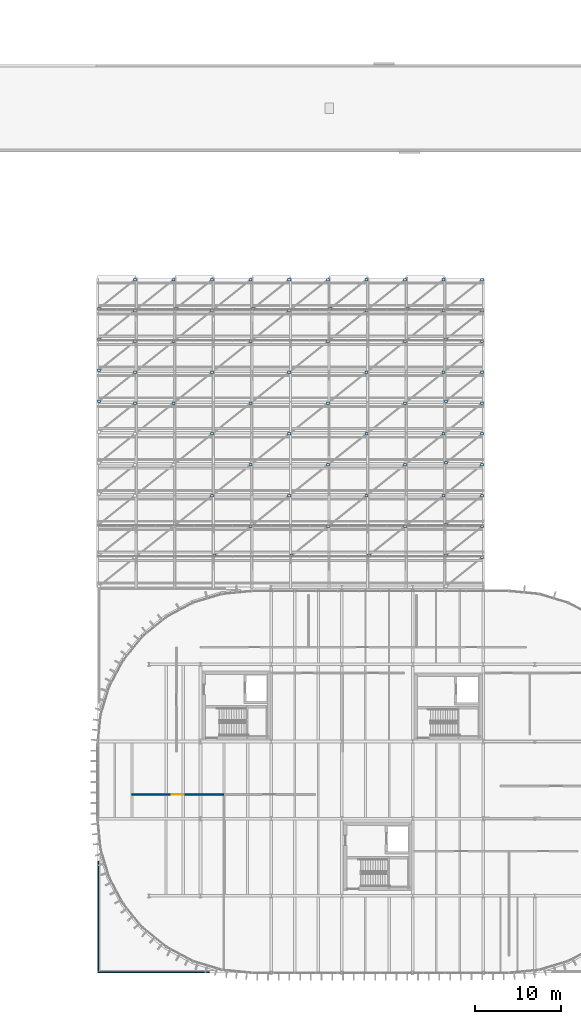
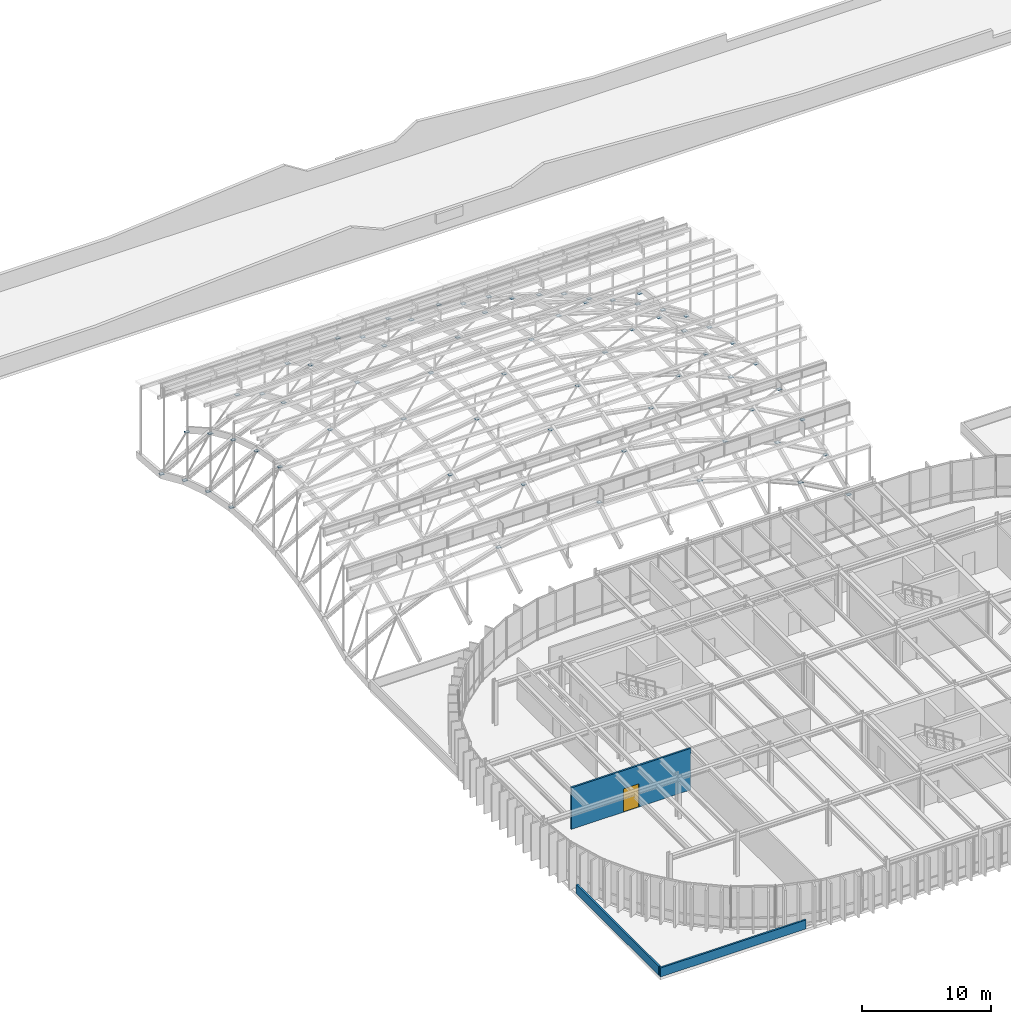
# One storey, part 51 of 69: 69 plates, 3 walls, 1 door, 1 opening.
"""IFC4 building model written with IfcOpenShell, lengths in metres."""

from ifc_helpers import new_model, si_unit, direction, frame, frame_2d, origin, origin_2d, place, context, subcontext, project, spatial, rectangle, extrude, material, layer, layer_set, type_object, element, fill, save


model = new_model("IFC4")

# Units and contexts
model_context = context("Model", 3, precision=1e-05, world=origin(), true_north=direction((0.0, 1.0)))
body_context = subcontext(model_context, "Body", "Model", "MODEL_VIEW")
ifc_project = project(units=[si_unit("LENGTHUNIT", "METRE"), si_unit("AREAUNIT", "SQUARE_METRE"), si_unit("VOLUMEUNIT", "CUBIC_METRE"), si_unit("PLANEANGLEUNIT", "RADIAN"), si_unit("MASSUNIT", "GRAM", prefix="KILO")], contexts=[model_context])

# Site, building, storey
site_placement = place(None, origin())
site = spatial("IfcSite", under=ifc_project, at=site_placement, CompositionType="ELEMENT")
building_placement = place(site_placement, origin())
building = spatial("IfcBuilding", under=site, at=building_placement, Name="Montealbar Specialist Clinic", CompositionType="ELEMENT")
storey_placement = place(building_placement, frame((0.0, 0.0, 9.60009765625)))
storey = spatial("IfcBuildingStorey", under=building, at=storey_placement, Name="L02", CompositionType="ELEMENT", Elevation=9.60009765625)

# Plates
ifc_material_1 = material(Name="Steel S355", Category="steel")
ifc_layer_1 = layer(ifc_material_1, 0.02001953125, Name="Steel S355", Category="steel")
ifc_layer_set_1 = layer_set([ifc_layer_1], Name="Steel S355")
plate_type = type_object("IfcPlateType", Name="PL-GUSSET-20-EXT", PredefinedType="SHEET", material=ifc_layer_set_1)
for number, where, z_axis, x_axis, name in (
    (1, (58.360107421875, 66.489990234375, 6.432861328125), (0.0, 0.0, 1.0), (1.0, 0.0, 0.0), "Gridshell Brace Node Gusset Plate 1-6"),
    (2, (54.139892578125, 66.7099609375, 3.93798828125), (0.0, 0.0, 1.0), (1.0, 0.0, 0.0), "Gridshell Brace Node Gusset Plate 0-6"),
    (3, (58.360107421875, 70.090087890625, 5.7529296875), (0.0, 0.0, 1.0), (1.0, 0.0, 0.0), "Gridshell Brace Node Gusset Plate 1-7"),
    (4, (54.139892578125, 70.31005859375, 3.2578125), (0.0, 0.0, 1.0), (1.0, 0.0, 0.0), "Gridshell Brace Node Gusset Plate 0-7"),
    (5, (58.360107421875, 73.68994140625, 4.618896484375), (0.0, 0.0, 1.0), (1.0, 0.0, 0.0), "Gridshell Brace Node Gusset Plate 1-8"),
    (6, (54.139892578125, 73.909912109375, 2.123779296875), (0.0, 0.0, 1.0), (1.0, 0.0, 0.0), "Gridshell Brace Node Gusset Plate 0-8"),
    (7, (58.360107421875, 77.2900390625, 3.031005859375), (0.0, 0.0, 1.0), (1.0, 0.0, 0.0), "Gridshell Brace Node Gusset Plate 1-9"),
    (8, (54.139892578125, 77.510009765625, 0.535888671875), (0.0, 0.0, 1.0), (1.0, 0.0, 0.0), "Gridshell Brace Node Gusset Plate 0-9"),
    (9, (58.360107421875, 80.889892578125, 0.989990234375), (0.0, 0.0, 1.0), (1.0, 0.0, 0.0), "Gridshell Brace Node Gusset Plate 1-10"),
    (10, (62.860107421875, 66.489990234375, 8.372802734375), (0.0, 0.0, 1.0), (1.0, 0.0, 0.0), "Gridshell Brace Node Gusset Plate 2-6"),
    (11, (62.860107421875, 73.68994140625, 6.558837890625), (0.0, 0.0, 1.0), (1.0, 0.0, 0.0), "Gridshell Brace Node Gusset Plate 2-8"),
    (12, (62.860107421875, 80.889892578125, 2.929931640625), (0.0, 0.0, 1.0), (1.0, 0.0, 0.0), "Gridshell Brace Node Gusset Plate 2-10"),
    (13, (67.360107421875, 55.68994140625, 9.078857421875), (0.0, 0.0, 1.0), (1.0, 0.0, 0.0), "Gridshell Brace Node Gusset Plate 3-3"),
    (14, (67.360107421875, 62.889892578125, 9.98583984375), (0.0, 0.0, 1.0), (1.0, 0.0, 0.0), "Gridshell Brace Node Gusset Plate 3-5"),
    (15, (67.360107421875, 70.090087890625, 9.078857421875), (0.0, 0.0, 1.0), (1.0, 0.0, 0.0), "Gridshell Brace Node Gusset Plate 3-7"),
    (16, (67.360107421875, 77.2900390625, 6.35693359375), (0.0, 0.0, 1.0), (1.0, 0.0, 0.0), "Gridshell Brace Node Gusset Plate 3-9"),
    (17, (63.139892578125, 77.510009765625, 4.970947265625), (0.0, 0.0, 1.0), (1.0, 0.0, 0.0), "Gridshell Brace Node Gusset Plate 2-9"),
    (18, (67.360107421875, 80.889892578125, 4.31591796875), (0.0, 0.0, 1.0), (1.0, 0.0, 0.0), "Gridshell Brace Node Gusset Plate 3-10"),
    (19, (67.639892578125, 48.7099609375, 6.35693359375), (0.0, 0.0, 1.0), (1.0, 0.0, 0.0), "Gridshell Brace Node Gusset Plate 3-1"),
    (20, (71.860107421875, 52.090087890625, 8.77685546875), (0.0, 0.0, 1.0), (1.0, 0.0, 0.0), "Gridshell Brace Node Gusset Plate 4-2"),
    (21, (71.860107421875, 59.2900390625, 10.5908203125), (0.0, 0.0, 1.0), (1.0, 0.0, 0.0), "Gridshell Brace Node Gusset Plate 4-4"),
    (22, (71.860107421875, 66.489990234375, 10.5908203125), (0.0, 0.0, 1.0), (1.0, 0.0, 0.0), "Gridshell Brace Node Gusset Plate 4-6"),
    (23, (71.860107421875, 73.68994140625, 8.77685546875), (0.0, 0.0, 1.0), (1.0, 0.0, 0.0), "Gridshell Brace Node Gusset Plate 4-8"),
    (24, (71.860107421875, 80.889892578125, 5.14794921875), (0.0, 0.0, 1.0), (1.0, 0.0, 0.0), "Gridshell Brace Node Gusset Plate 4-10"),
    (25, (76.360107421875, 55.68994140625, 10.18798828125), (0.0, 0.0, 1.0), (1.0, 0.0, 0.0), "Gridshell Brace Node Gusset Plate 5-3"),
    (26, (76.360107421875, 62.889892578125, 11.094970703125), (0.0, 0.0, 1.0), (1.0, 0.0, 0.0), "Gridshell Brace Node Gusset Plate 5-5"),
    (27, (76.360107421875, 70.090087890625, 10.18798828125), (0.0, 0.0, 1.0), (1.0, 0.0, 0.0), "Gridshell Brace Node Gusset Plate 5-7"),
    (28, (76.360107421875, 77.2900390625, 7.4658203125), (0.0, 0.0, 1.0), (1.0, 0.0, 0.0), "Gridshell Brace Node Gusset Plate 5-9"),
    (29, (72.139892578125, 77.510009765625, 7.18896484375), (0.0, 0.0, 1.0), (1.0, 0.0, 0.0), "Gridshell Brace Node Gusset Plate 4-9"),
    (30, (76.360107421875, 80.889892578125, 5.4248046875), (0.0, 0.0, 1.0), (1.0, 0.0, 0.0), "Gridshell Brace Node Gusset Plate 5-10"),
    (31, (76.639892578125, 48.7099609375, 7.4658203125), (0.0, 0.0, 1.0), (1.0, 0.0, 0.0), "Gridshell Brace Node Gusset Plate 5-1"),
    (32, (80.860107421875, 52.090087890625, 8.77685546875), (0.0, 0.0, 1.0), (1.0, 0.0, 0.0), "Gridshell Brace Node Gusset Plate 6-2"),
    (33, (80.860107421875, 59.2900390625, 10.5908203125), (0.0, 0.0, 1.0), (1.0, 0.0, 0.0), "Gridshell Brace Node Gusset Plate 6-4"),
    (34, (80.860107421875, 66.489990234375, 10.5908203125), (0.0, 0.0, 1.0), (1.0, 0.0, 0.0), "Gridshell Brace Node Gusset Plate 6-6"),
    (35, (80.860107421875, 73.68994140625, 8.77685546875), (0.0, 0.0, 1.0), (1.0, 0.0, 0.0), "Gridshell Brace Node Gusset Plate 6-8"),
    (36, (80.860107421875, 80.889892578125, 5.14794921875), (0.0, 0.0, 1.0), (1.0, 0.0, 0.0), "Gridshell Brace Node Gusset Plate 6-10"),
    (37, (85.360107421875, 55.68994140625, 9.078857421875), (0.0, 0.0, 1.0), (1.0, 0.0, 0.0), "Gridshell Brace Node Gusset Plate 7-3"),
    (38, (85.360107421875, 62.889892578125, 9.98583984375), (0.0, 0.0, 1.0), (1.0, 0.0, 0.0), "Gridshell Brace Node Gusset Plate 7-5"),
    (39, (85.360107421875, 70.090087890625, 9.078857421875), (0.0, 0.0, 1.0), (1.0, 0.0, 0.0), "Gridshell Brace Node Gusset Plate 7-7"),
    (40, (85.360107421875, 77.2900390625, 6.35693359375), (0.0, 0.0, 1.0), (1.0, 0.0, 0.0), "Gridshell Brace Node Gusset Plate 7-9"),
    (41, (81.139892578125, 77.510009765625, 7.18896484375), (0.0, 0.0, 1.0), (1.0, 0.0, 0.0), "Gridshell Brace Node Gusset Plate 6-9"),
    (42, (85.360107421875, 80.889892578125, 4.31591796875), (0.0, 0.0, 1.0), (1.0, 0.0, 0.0), "Gridshell Brace Node Gusset Plate 7-10"),
    (43, (85.639892578125, 48.7099609375, 6.35693359375), (0.0, 0.0, 1.0), (1.0, 0.0, 0.0), "Gridshell Brace Node Gusset Plate 7-1"),
    (44, (89.860107421875, 52.090087890625, 6.558837890625), (0.0, 0.0, 1.0), (1.0, 0.0, 0.0), "Gridshell Brace Node Gusset Plate 8-2"),
    (45, (89.860107421875, 59.2900390625, 8.372802734375), (0.0, 0.0, 1.0), (1.0, 0.0, 0.0), "Gridshell Brace Node Gusset Plate 8-4"),
    (46, (89.860107421875, 66.489990234375, 8.372802734375), (0.0, 0.0, 1.0), (1.0, 0.0, 0.0), "Gridshell Brace Node Gusset Plate 8-6"),
    (47, (89.860107421875, 73.68994140625, 6.558837890625), (0.0, 0.0, 1.0), (1.0, 0.0, 0.0), "Gridshell Brace Node Gusset Plate 8-8"),
    (48, (89.860107421875, 80.889892578125, 2.929931640625), (0.0, 0.0, 1.0), (1.0, 0.0, 0.0), "Gridshell Brace Node Gusset Plate 8-10"),
    (49, (94.360107421875, 55.68994140625, 5.7529296875), (0.0, 0.0, 1.0), (1.0, 0.0, 0.0), "Gridshell Brace Node Gusset Plate 9-3"),
    (50, (94.360107421875, 62.889892578125, 6.659912109375), (0.0, 0.0, 1.0), (1.0, 0.0, 0.0), "Gridshell Brace Node Gusset Plate 9-5"),
    (51, (94.360107421875, 70.090087890625, 5.7529296875), (0.0, 0.0, 1.0), (1.0, 0.0, 0.0), "Gridshell Brace Node Gusset Plate 9-7"),
    (52, (94.360107421875, 77.2900390625, 3.031005859375), (0.0, 0.0, 1.0), (1.0, 0.0, 0.0), "Gridshell Brace Node Gusset Plate 9-9"),
    (53, (90.139892578125, 77.510009765625, 4.970947265625), (0.0, 0.0, 1.0), (1.0, 0.0, 0.0), "Gridshell Brace Node Gusset Plate 8-9"),
    (54, (94.360107421875, 80.889892578125, 0.989990234375), (0.0, 0.0, 1.0), (1.0, 0.0, 0.0), "Gridshell Brace Node Gusset Plate 9-10"),
    (55, (98.860107421875, 48.489990234375, 0.535888671875), (0.0, 0.0, 1.0), (1.0, 0.0, 0.0), "Gridshell Brace Node Gusset Plate 10-1"),
    (56, (94.639892578125, 48.7099609375, 3.031005859375), (0.0, 0.0, 1.0), (1.0, 0.0, 0.0), "Gridshell Brace Node Gusset Plate 9-1"),
    (57, (98.860107421875, 52.090087890625, 2.123779296875), (0.0, 0.0, 1.0), (1.0, 0.0, 0.0), "Gridshell Brace Node Gusset Plate 10-2"),
    (58, (94.639892578125, 52.31005859375, 4.618896484375), (0.0, 0.0, 1.0), (1.0, 0.0, 0.0), "Gridshell Brace Node Gusset Plate 9-2"),
    (59, (98.860107421875, 55.68994140625, 3.2578125), (0.0, 0.0, 1.0), (1.0, 0.0, 0.0), "Gridshell Brace Node Gusset Plate 10-3"),
    (60, (98.860107421875, 59.2900390625, 3.93798828125), (0.0, 0.0, 1.0), (1.0, 0.0, 0.0), "Gridshell Brace Node Gusset Plate 10-4"),
    (61, (94.639892578125, 59.510009765625, 6.432861328125), (0.0, 0.0, 1.0), (1.0, 0.0, 0.0), "Gridshell Brace Node Gusset Plate 9-4"),
    (62, (98.860107421875, 62.889892578125, 4.164794921875), (0.0, 0.0, 1.0), (1.0, 0.0, 0.0), "Gridshell Brace Node Gusset Plate 10-5"),
    (63, (98.860107421875, 66.489990234375, 3.93798828125), (0.0, 0.0, 1.0), (1.0, 0.0, 0.0), "Gridshell Brace Node Gusset Plate 10-6"),
    (64, (94.639892578125, 66.7099609375, 6.432861328125), (0.0, 0.0, 1.0), (1.0, 0.0, 0.0), "Gridshell Brace Node Gusset Plate 9-6"),
    (65, (98.860107421875, 70.090087890625, 3.2578125), (0.0, 0.0, 1.0), (1.0, 0.0, 0.0), "Gridshell Brace Node Gusset Plate 10-7"),
    (66, (98.860107421875, 73.68994140625, 2.123779296875), (0.0, 0.0, 1.0), (1.0, 0.0, 0.0), "Gridshell Brace Node Gusset Plate 10-8"),
    (67, (94.639892578125, 73.909912109375, 4.618896484375), (0.0, 0.0, 1.0), (1.0, 0.0, 0.0), "Gridshell Brace Node Gusset Plate 9-8"),
    (68, (98.860107421875, 77.2900390625, 0.535888671875), (0.0, 0.0, 1.0), (1.0, 0.0, 0.0), "Gridshell Brace Node Gusset Plate 10-9"),
    (69, (98.860107421875, 80.889892578125, -0.085205078125), (0.0, 0.0, 1.0), (1.0, 0.0, 0.0), "Gridshell Brace Node Gusset Plate 10-10"),
):
    element("IfcPlate", number, at=place(storey_placement, frame(where, z_axis=z_axis, x_axis=x_axis)), inside=storey, type_object=plate_type, Name=name, PredefinedType="SHEET", context=body_context, shape_type="SweptSolid", body=[
        extrude(rectangle(XDim=0.360107421875, YDim=0.300048828125, at=origin_2d()), origin(), (0.0, 0.0, 1.0), 0.02001953125),
    ])

# Walls
ifc_material_2 = material(Name="Guadarrama granite ashlar", Category="masonry")
ifc_layer_2 = layer(ifc_material_2, 0.159912109375, Name="Guadarrama granite ashlar", Category="masonry")
ifc_layer_set_2 = layer_set([ifc_layer_2], Name="Guadarrama granite ashlar")
wall_type_1 = type_object("IfcWallType", Name="WL-PARAPET-160", PredefinedType="PARAPET", material=ifc_layer_set_2)
wall_1_placement = place(storey_placement, frame((67.044921875, 0.080078125, 0.0), z_axis=(0.0, 0.0, 1.0), x_axis=(-1.0, 0.0, 0.0)))
element("IfcWall", 70, at=wall_1_placement, inside=storey, type_object=wall_type_1, Name="Roof Parapet L02-032", PredefinedType="PARAPET", context=body_context, shape_type="SweptSolid", body=[
    extrude(rectangle(XDim=13.044921875, YDim=0.159912109375, at=frame_2d((6.5224609375, 0.0))), origin(), (0.0, 0.0, 1.0), 0.849853515625),
])
wall_2_placement = place(storey_placement, frame((54.080078125, 0.2548828125, 0.0), z_axis=(0.0, 0.0, 1.0), x_axis=(0.0, 1.0, 0.0)))
element("IfcWall", 71, at=wall_2_placement, inside=storey, type_object=wall_type_1, Name="Roof Parapet L02-033", PredefinedType="PARAPET", context=body_context, shape_type="SweptSolid", body=[
    extrude(rectangle(XDim=12.7900390625, YDim=0.159912109375, at=frame_2d((6.39501953125, 0.0))), origin(), (0.0, 0.0, 1.0), 0.849853515625),
])

# Wall, opening, door
ifc_material_3 = material(Name="Gypsum acoustic partition", Category="gypsum")
ifc_layer_3 = layer(ifc_material_3, 0.159912109375, Name="Gypsum acoustic partition", Category="gypsum")
ifc_layer_set_3 = layer_set([ifc_layer_3], Name="Gypsum acoustic partition")
wall_type_2 = type_object("IfcWallType", Name="WL-PART-CLINIC-160", PredefinedType="PARTITIONING", material=ifc_layer_set_3)
wall_3_placement = place(storey_placement, frame((58.0, 20.800048828125, 0.0), z_axis=(0.0, 0.0, 1.0), x_axis=(1.0, 0.0, 0.0)))
wall_3 = element("IfcWall", 72, at=wall_3_placement, inside=storey, type_object=wall_type_2, Name="Clinical Partition PART-L02-0135", PredefinedType="PARTITIONING", context=body_context, shape_type="SweptSolid", body=[
    extrude(rectangle(XDim=10.699951171875, YDim=0.159912109375, at=frame_2d((5.35009765625, 0.0))), origin(), (0.0, 0.0, 1.0), 3.929931640625),
])
opening_placement = place(wall_3_placement, frame((4.64990234375, 0.0, 0.0)))
opening = element("IfcOpeningElement", 73, at=opening_placement, cuts=wall_3, Name="Opening ID-140", PredefinedType="OPENING", context=body_context, shape_type="SweptSolid", body=[
    extrude(rectangle(XDim=1.39990234375, YDim=2.199951171875, at=frame_2d((0.699951171875, 1.10009765625))), frame((0.0, 0.08984375, 0.0), z_axis=(0.0, -1.0, 0.0), x_axis=(1.0, 0.0, 0.0)), (0.0, 0.0, 1.0), 0.179931640625),
])
ifc_material_4 = material(Name="Acoustic timber leaf", Category="wood")
door_type = type_object("IfcDoorType", Name="DR-BED-W1400", OperationType="NOTDEFINED", PredefinedType="DOOR", material=ifc_material_4)
door_placement = place(opening_placement, origin())
door = element("IfcDoor", 74, at=door_placement, inside=storey, type_object=door_type, Name="Clinical Room Door IDR-L02-0088", OperationType="SINGLE_SWING_LEFT", OverallHeight=2.199951171875, OverallWidth=1.39990234375, PredefinedType="DOOR", context=body_context, shape_type="SweptSolid", body=[
    extrude(rectangle(XDim=1.39990234375, YDim=2.199951171875, at=frame_2d((0.699951171875, 1.10009765625))), frame((0.0, 0.02490234375, 0.0), z_axis=(0.0, -1.0, 0.0), x_axis=(1.0, 0.0, 0.0)), (0.0, 0.0, 1.0), 0.050048828125),
])
fill(opening, door)

save(model, "model.ifc")
